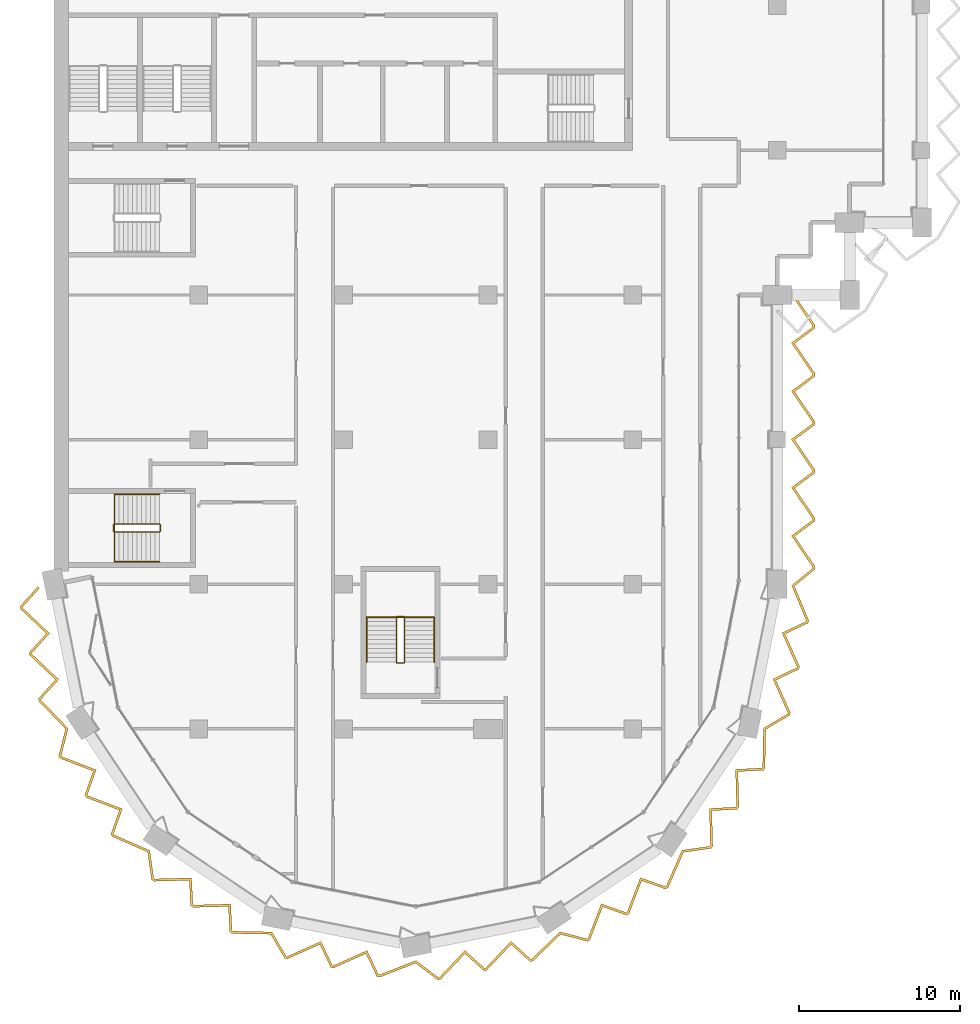
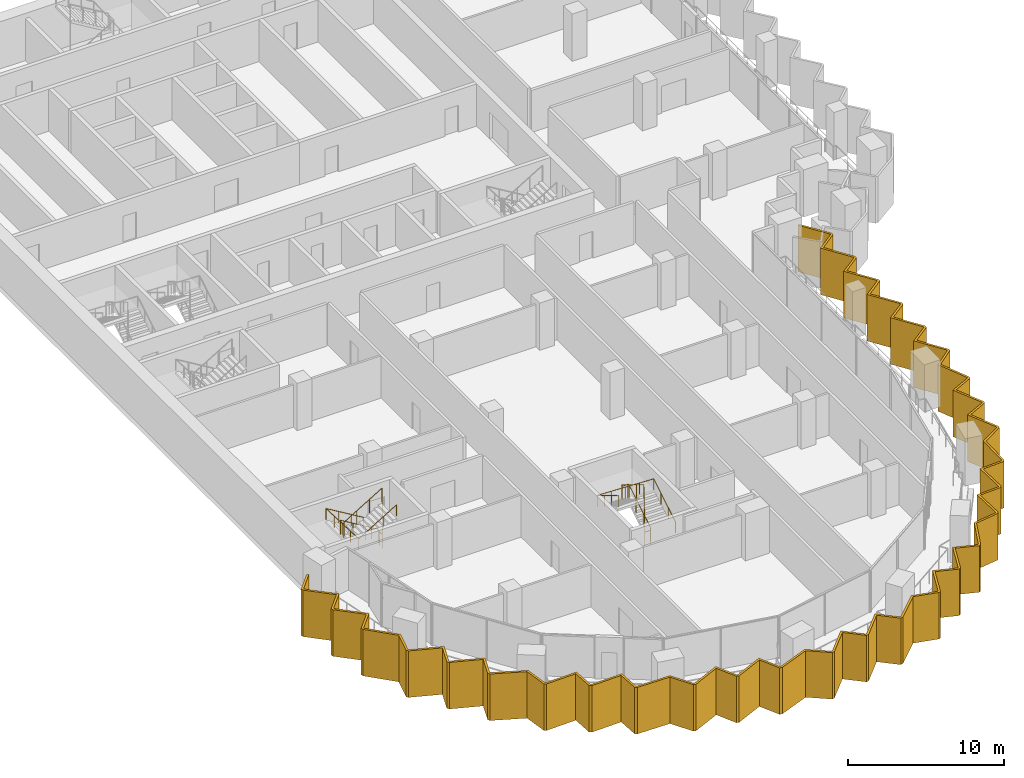
# One storey, part 16 of 19: 4 railings, 1 shading device.
"""IFC4 building model written with IfcOpenShell, lengths in metres."""

from ifc_helpers import new_model, si_unit, direction, frame, origin, origin_2d, place, context, subcontext, project, spatial, polyline, circle, outline, extrude, material, layer, layer_set, type_object, element, save


model = new_model("IFC4")

# Units and contexts
model_context = context("Model", 3, precision=1e-05, world=origin(), true_north=direction((0.0, 1.0)))
body_context = subcontext(model_context, "Body", "Model", "MODEL_VIEW")
ifc_project = project(units=[si_unit("LENGTHUNIT", "METRE"), si_unit("AREAUNIT", "SQUARE_METRE"), si_unit("VOLUMEUNIT", "CUBIC_METRE"), si_unit("PLANEANGLEUNIT", "RADIAN"), si_unit("MASSUNIT", "GRAM", prefix="KILO")], contexts=[model_context])

# Site, building, storey
site_placement = place(None, origin())
site = spatial("IfcSite", under=ifc_project, at=site_placement, CompositionType="ELEMENT")
building_placement = place(site_placement, origin())
building = spatial("IfcBuilding", under=site, at=building_placement, Name="Hunhe Ridgeline Campus", CompositionType="ELEMENT")
storey_placement = place(building_placement, frame((0.0, 0.0, 216.10009765625)))
storey = spatial("IfcBuildingStorey", under=building, at=storey_placement, Name="L55", CompositionType="ELEMENT", Elevation=216.10009765625)

# Shading device
ifc_material_1 = material(Name="Concrete C50", Category="concrete")
ifc_layer = layer(ifc_material_1, 0.14990234375)
ifc_layer_set = layer_set([ifc_layer], Name="Sawtooth concrete fin 150 Concrete C50")
shading_device_type = type_object("IfcShadingDeviceType", Name="Sawtooth concrete fin 150 Concrete C50", PredefinedType="USERDEFINED", material=ifc_layer_set)
shading_device_placement = place(storey_placement, frame((0.0, 0.0, -0.9501953125)))
element("IfcShadingDevice", 1, at=shading_device_placement, inside=storey, type_object=shading_device_type, Name="Concrete fin screen 1", ObjectType="FIN", PredefinedType="USERDEFINED", context=body_context, shape_type="SweptSolid", body=[
    extrude(outline(polyline([(-0.900634765625, 35.759521484375), (-1.011962890625, 35.860107421875), (-2.123291015625, 34.62890625), (-2.087890625, 34.450927734375), (-0.489990234375, 32.935546875), (-1.552490234375, 31.7587890625), (-1.51708984375, 31.580810546875), (0.080810546875, 30.0654296875), (-0.9814453125, 28.888671875), (-0.946533203125, 28.712646484375), (0.711181640625, 26.9873046875), (0.278076171875, 25.306884765625), (0.37646484375, 25.159423828125), (2.4326171875, 24.370849609375), (1.9013671875, 22.877197265625), (2.002197265625, 22.726318359375), (4.058349609375, 21.937744140625), (3.52734375, 20.444091796875), (3.626953125, 20.294677734375), (5.81884765625, 19.335205078125), (6.0615234375, 17.616943359375), (6.208984375, 17.518310546875), (8.410400390625, 17.57666015625), (8.4912109375, 15.993408203125), (8.642333984375, 15.892578125), (10.843505859375, 15.950927734375), (10.924560546875, 14.36767578125), (11.07373046875, 14.267822265625), (13.4658203125, 14.22021484375), (14.34765625, 12.7255859375), (14.521728515625, 12.69091796875), (16.533203125, 13.587158203125), (17.2138671875, 12.155517578125), (17.391845703125, 12.1201171875), (19.4033203125, 13.016357421875), (20.083984375, 11.58447265625), (20.260009765625, 11.549560546875), (22.48828125, 12.4208984375), (23.875, 11.37744140625), (24.049072265625, 11.412109375), (25.564453125, 13.010009765625), (26.7412109375, 11.947509765625), (26.919189453125, 11.98291015625), (28.4345703125, 13.580810546875), (29.611328125, 12.5185546875), (29.787353515625, 12.553466796875), (31.5126953125, 14.211181640625), (33.193115234375, 13.778076171875), (33.340576171875, 13.87646484375), (34.129150390625, 15.9326171875), (35.622802734375, 15.4013671875), (35.773681640625, 15.502197265625), (36.562255859375, 17.558349609375), (38.055908203125, 17.02734375), (38.205322265625, 17.126953125), (39.164794921875, 19.31884765625), (40.883056640625, 19.5615234375), (40.981689453125, 19.708984375), (40.92333984375, 21.910400390625), (42.506591796875, 21.9912109375), (42.607421875, 22.142333984375), (42.549072265625, 24.343505859375), (44.13232421875, 24.424560546875), (44.232177734375, 24.57373046875), (44.27978515625, 26.9658203125), (45.7744140625, 27.84765625), (45.80908203125, 28.021728515625), (44.912841796875, 30.033203125), (46.344482421875, 30.7138671875), (46.3798828125, 30.891845703125), (45.483642578125, 32.9033203125), (46.91552734375, 33.583984375), (46.95068359375, 33.760986328125), (46.065673828125, 35.88134765625), (47.35009765625, 36.9326171875), (47.35009765625, 37.111083984375), (46.077392578125, 38.982666015625), (47.35009765625, 39.930419921875), (47.35009765625, 40.111083984375), (46.077392578125, 41.982666015625), (47.35009765625, 42.930419921875), (47.35009765625, 43.111083984375), (46.077392578125, 44.982666015625), (47.35009765625, 45.930419921875), (47.35009765625, 46.111083984375), (46.077392578125, 47.982666015625), (47.35009765625, 48.930419921875), (47.35009765625, 49.111083984375), (46.077392578125, 50.982666015625), (47.35009765625, 51.930419921875), (47.35009765625, 52.111083984375), (46.037109375, 54.042236328125), (45.9130859375, 53.957763671875), (47.199951171875, 52.06494140625), (47.199951171875, 52.005859375), (45.87255859375, 51.017333984375), (47.199951171875, 49.06494140625), (47.199951171875, 49.005859375), (45.87255859375, 48.017333984375), (47.199951171875, 46.06494140625), (47.199951171875, 46.005859375), (45.87255859375, 45.017333984375), (47.199951171875, 43.06494140625), (47.199951171875, 43.005859375), (45.87255859375, 42.017333984375), (47.199951171875, 40.06494140625), (47.199951171875, 40.005859375), (45.87255859375, 39.017333984375), (47.199951171875, 37.06494140625), (47.199951171875, 37.003662109375), (45.88427734375, 35.926513671875), (46.794677734375, 33.745361328125), (46.782958984375, 33.68701171875), (45.287109375, 32.97607421875), (46.2236328125, 30.874267578125), (46.212158203125, 30.81689453125), (44.716064453125, 30.10595703125), (45.652587890625, 28.004150390625), (45.640380859375, 27.94287109375), (44.131591796875, 27.052490234375), (44.0830078125, 24.62060546875), (44.049560546875, 24.570556640625), (42.395263671875, 24.48583984375), (42.456298828125, 22.18603515625), (42.423583984375, 22.13720703125), (40.76953125, 22.052734375), (40.830322265625, 19.752685546875), (40.795654296875, 19.70068359375), (39.06103515625, 19.45556640625), (38.08544921875, 17.227294921875), (38.03515625, 17.19384765625), (36.474609375, 17.748779296875), (35.650634765625, 15.6005859375), (35.60205078125, 15.568115234375), (34.04150390625, 16.123046875), (33.217529296875, 13.974853515625), (33.16552734375, 13.93994140625), (31.468994140625, 14.37744140625), (29.715087890625, 12.692138671875), (29.656005859375, 12.68017578125), (28.426513671875, 13.790283203125), (26.84326171875, 12.120849609375), (26.785888671875, 12.109375), (25.556396484375, 13.21923828125), (23.972900390625, 11.5498046875), (23.91162109375, 11.53759765625), (22.51171875, 12.591064453125), (20.246337890625, 11.705078125), (20.18701171875, 11.717041015625), (19.47607421875, 13.212890625), (17.374267578125, 12.2763671875), (17.31689453125, 12.287841796875), (16.60595703125, 13.783935546875), (14.504150390625, 12.847412109375), (14.44287109375, 12.859619140625), (13.552490234375, 14.368408203125), (11.12060546875, 14.4169921875), (11.070556640625, 14.450439453125), (10.98583984375, 16.104736328125), (8.68603515625, 16.043701171875), (8.63720703125, 16.076416015625), (8.552734375, 17.73046875), (6.252685546875, 17.669677734375), (6.20068359375, 17.704345703125), (5.95556640625, 19.43896484375), (3.727294921875, 20.41455078125), (3.69384765625, 20.46484375), (4.248779296875, 22.025390625), (2.1005859375, 22.849365234375), (2.068115234375, 22.89794921875), (2.623046875, 24.45849609375), (0.474853515625, 25.282470703125), (0.43994140625, 25.33447265625), (0.87744140625, 27.031005859375), (-0.807861328125, 28.784912109375), (-0.81982421875, 28.843994140625), (0.290283203125, 30.073486328125), (-1.379150390625, 31.65673828125), (-1.390625, 31.714111328125), (-0.28076171875, 32.943603515625), (-1.9501953125, 34.527099609375), (-1.96142578125, 34.58447265625), (-0.900634765625, 35.759521484375)])), origin(), (0.0, 0.0, 1.0), 3.650146484375),
])

# Railings
ifc_material_2 = material(Name="Stainless steel balustrade", Category="steel")
railing_type_1 = type_object("IfcRailingType", Name="Stair guard 1100 stainless", PredefinedType="GUARDRAIL", material=ifc_material_2)
railing_1_placement = place(storey_placement, frame((21.800048828125, 31.14990234375, 0.16796875)))
element("IfcRailing", 2, at=railing_1_placement, inside=storey, type_object=railing_type_1, Name="L55 stair W3 guard", PredefinedType="GUARDRAIL", context=body_context, shape_type="SweptSolid", body=[
    extrude(circle(Radius=0.02392578125, at=origin_2d()), frame((0.0, 0.0, 1.076171875), z_axis=(0.0, 0.857242210791, 0.514913383045), x_axis=(-1.0, 0.0, 0.0)), (0.0, 0.0, 1.0), 3.266357421875),
    extrude(circle(Radius=0.02392578125, at=origin_2d()), frame((0.0, 2.800048828125, 2.7578125), z_axis=(-0.707106781187, 0.707106781187, 0.0), x_axis=(-0.707106781187, -0.707106781187, 0.0)), (0.0, 0.0, 1.0), 0.07080078125),
    extrude(circle(Radius=0.02392578125, at=origin_2d()), frame((-0.050048828125, 2.85009765625, 2.7578125), z_axis=(-1.0, 0.0, 0.0), x_axis=(0.0, -1.0, 0.0)), (0.0, 0.0, 1.0), 0.39990234375),
    extrude(circle(Radius=0.02392578125, at=origin_2d()), frame((-0.449951171875, 2.85009765625, 2.7578125), z_axis=(-0.274243871929, -0.274243871929, 0.92172696468), x_axis=(0.707106781187, -0.707106781187, 0.0)), (0.0, 0.0, 1.0), 0.1826171875),
    extrude(circle(Radius=0.02392578125, at=origin_2d()), frame((-0.5, 2.800048828125, 2.92626953125), z_axis=(0.0, -0.857242210791, 0.514913383045), x_axis=(1.0, 0.0, 0.0)), (0.0, 0.0, 1.0), 3.266357421875),
    extrude(circle(Radius=0.02392578125, at=origin_2d()), frame((-0.5, 0.0, 4.60791015625), z_axis=(0.013524426427, -0.013458453615, -0.999817963389), x_axis=(0.705375805398, 0.708833529934, 0.0)), (0.0, 0.0, 1.0), 3.70068359375),
    extrude(circle(Radius=0.02392578125, at=origin_2d()), frame((-0.449951171875, -0.0498046875, 0.908203125), z_axis=(1.0, 0.0, 0.0), x_axis=(0.0, 1.0, 0.0)), (0.0, 0.0, 1.0), 0.39990234375),
    extrude(circle(Radius=0.02099609375, at=origin_2d()), origin(), (0.0, 0.0, 1.0), 1.052001953125),
    extrude(circle(Radius=0.02099609375, at=origin_2d()), frame((0.0, 0.933349609375, 0.560546875)), (0.0, 0.0, 1.0), 1.052001953125),
    extrude(circle(Radius=0.02099609375, at=origin_2d()), frame((0.0, 1.86669921875, 1.121337890625)), (0.0, 0.0, 1.0), 1.052001953125),
    extrude(circle(Radius=0.02099609375, at=origin_2d()), frame((0.0, 2.800048828125, 1.681884765625)), (0.0, 0.0, 1.0), 1.052001953125),
    extrude(circle(Radius=0.02099609375, at=origin_2d()), frame((-0.050048828125, 2.85009765625, 1.681884765625)), (0.0, 0.0, 1.0), 1.052001953125),
    extrude(circle(Radius=0.02099609375, at=origin_2d()), frame((-0.449951171875, 2.85009765625, 1.681884765625)), (0.0, 0.0, 1.0), 1.052001953125),
    extrude(circle(Radius=0.02099609375, at=origin_2d()), frame((-0.5, 2.800048828125, 1.85009765625)), (0.0, 0.0, 1.0), 1.052001953125),
    extrude(circle(Radius=0.02099609375, at=origin_2d()), frame((-0.5, 1.86669921875, 2.41064453125)), (0.0, 0.0, 1.0), 1.052001953125),
    extrude(circle(Radius=0.02099609375, at=origin_2d()), frame((-0.5, 0.933349609375, 2.971435546875)), (0.0, 0.0, 1.0), 1.052001953125),
    extrude(circle(Radius=0.02099609375, at=origin_2d()), frame((-0.5, 0.0, 3.531982421875)), (0.0, 0.0, 1.0), 1.052001953125),
    extrude(circle(Radius=0.02099609375, at=origin_2d()), frame((-0.487548828125, -0.012451171875, 2.60693359375)), (0.0, 0.0, 1.0), 1.052001953125),
    extrude(circle(Radius=0.02099609375, at=origin_2d()), frame((-0.47509765625, -0.02490234375, 1.68212890625)), (0.0, 0.0, 1.0), 1.052001953125),
    extrude(circle(Radius=0.02099609375, at=origin_2d()), frame((-0.46240234375, -0.037353515625, 0.757080078125)), (0.0, 0.0, 1.0), 1.052001953125),
    extrude(circle(Radius=0.02099609375, at=origin_2d()), frame((-0.449951171875, -0.0498046875, -0.16796875)), (0.0, 0.0, 1.0), 1.052001953125),
    extrude(circle(Radius=0.02099609375, at=origin_2d()), frame((-0.050048828125, -0.0498046875, -0.16796875)), (0.0, 0.0, 1.0), 1.052001953125),
])
railing_2_placement = place(storey_placement, frame((6.550048828125, 39.75, 0.16796875)))
element("IfcRailing", 3, at=railing_2_placement, inside=storey, type_object=railing_type_1, Name="L55 stair W1 guard", PredefinedType="GUARDRAIL", context=body_context, shape_type="SweptSolid", body=[
    extrude(circle(Radius=0.02392578125, at=origin_2d()), frame((0.0, 0.0, 1.076171875), z_axis=(-0.857242210791, 0.0, 0.514913383045), x_axis=(0.0, -1.0, 0.0)), (0.0, 0.0, 1.0), 3.266357421875),
    extrude(circle(Radius=0.02392578125, at=origin_2d()), frame((-2.800048828125, 0.0, 2.7578125), z_axis=(-0.707106781187, -0.707106781187, 0.0), x_axis=(0.707106781187, -0.707106781187, 0.0)), (0.0, 0.0, 1.0), 0.07080078125),
    extrude(circle(Radius=0.02392578125, at=origin_2d()), frame((-2.85009765625, -0.050048828125, 2.7578125), z_axis=(0.0, -1.0, 0.0), x_axis=(1.0, 0.0, 0.0)), (0.0, 0.0, 1.0), 0.39990234375),
    extrude(circle(Radius=0.02392578125, at=origin_2d()), frame((-2.85009765625, -0.449951171875, 2.7578125), z_axis=(0.274243871929, -0.274243871929, 0.92172696468), x_axis=(0.707106781187, 0.707106781187, 0.0)), (0.0, 0.0, 1.0), 0.1826171875),
    extrude(circle(Radius=0.02392578125, at=origin_2d()), frame((-2.800048828125, -0.5, 2.92626953125), z_axis=(0.857242210791, 0.0, 0.514913383045), x_axis=(0.0, 1.0, 0.0)), (0.0, 0.0, 1.0), 3.266357421875),
    extrude(circle(Radius=0.02392578125, at=origin_2d()), frame((0.0, -0.5, 4.60791015625), z_axis=(0.013524414389, 0.013524414389, -0.999817073484), x_axis=(-0.707106781187, 0.707106781187, 0.0)), (0.0, 0.0, 1.0), 3.70068359375),
    extrude(circle(Radius=0.02392578125, at=origin_2d()), frame((0.050048828125, -0.449951171875, 0.908203125), z_axis=(0.0, 1.0, 0.0), x_axis=(-1.0, 0.0, 0.0)), (0.0, 0.0, 1.0), 0.39990234375),
    extrude(circle(Radius=0.02099609375, at=origin_2d()), origin(), (0.0, 0.0, 1.0), 1.052001953125),
    extrude(circle(Radius=0.02099609375, at=origin_2d()), frame((-0.933349609375, 0.0, 0.560546875)), (0.0, 0.0, 1.0), 1.052001953125),
    extrude(circle(Radius=0.02099609375, at=origin_2d()), frame((-1.86669921875, 0.0, 1.121337890625)), (0.0, 0.0, 1.0), 1.052001953125),
    extrude(circle(Radius=0.02099609375, at=origin_2d()), frame((-2.800048828125, 0.0, 1.681884765625)), (0.0, 0.0, 1.0), 1.052001953125),
    extrude(circle(Radius=0.02099609375, at=origin_2d()), frame((-2.85009765625, -0.050048828125, 1.681884765625)), (0.0, 0.0, 1.0), 1.052001953125),
    extrude(circle(Radius=0.02099609375, at=origin_2d()), frame((-2.85009765625, -0.449951171875, 1.681884765625)), (0.0, 0.0, 1.0), 1.052001953125),
    extrude(circle(Radius=0.02099609375, at=origin_2d()), frame((-2.800048828125, -0.5, 1.85009765625)), (0.0, 0.0, 1.0), 1.052001953125),
    extrude(circle(Radius=0.02099609375, at=origin_2d()), frame((-1.86669921875, -0.5, 2.41064453125)), (0.0, 0.0, 1.0), 1.052001953125),
    extrude(circle(Radius=0.02099609375, at=origin_2d()), frame((-0.933349609375, -0.5, 2.971435546875)), (0.0, 0.0, 1.0), 1.052001953125),
    extrude(circle(Radius=0.02099609375, at=origin_2d()), frame((0.0, -0.5, 3.531982421875)), (0.0, 0.0, 1.0), 1.052001953125),
    extrude(circle(Radius=0.02099609375, at=origin_2d()), frame((0.012451171875, -0.487548828125, 2.60693359375)), (0.0, 0.0, 1.0), 1.052001953125),
    extrude(circle(Radius=0.02099609375, at=origin_2d()), frame((0.02490234375, -0.47509765625, 1.68212890625)), (0.0, 0.0, 1.0), 1.052001953125),
    extrude(circle(Radius=0.02099609375, at=origin_2d()), frame((0.03759765625, -0.46240234375, 0.757080078125)), (0.0, 0.0, 1.0), 1.052001953125),
    extrude(circle(Radius=0.02099609375, at=origin_2d()), frame((0.050048828125, -0.449951171875, -0.16796875)), (0.0, 0.0, 1.0), 1.052001953125),
    extrude(circle(Radius=0.02099609375, at=origin_2d()), frame((0.050048828125, -0.050048828125, -0.16796875)), (0.0, 0.0, 1.0), 1.052001953125),
])
ifc_material_3 = material(Name="Stainless steel handrail", Category="steel")
railing_type_2 = type_object("IfcRailingType", Name="Stair handrail 900 stainless", PredefinedType="HANDRAIL", material=ifc_material_3)
railing_3_placement = place(storey_placement, frame((23.64990234375, 31.14990234375, 0.16796875)))
element("IfcRailing", 4, at=railing_3_placement, inside=storey, type_object=railing_type_2, Name="L55 stair W3 handrail", PredefinedType="HANDRAIL", context=body_context, shape_type="SweptSolid", body=[
    extrude(circle(Radius=0.02392578125, at=origin_2d()), frame((0.0, 0.0, 0.8759765625), z_axis=(0.0, 0.857242210791, 0.514913383045), x_axis=(-1.0, 0.0, 0.0)), (0.0, 0.0, 1.0), 3.266357421875),
    extrude(circle(Radius=0.02392578125, at=origin_2d()), frame((0.0, 2.800048828125, 2.5576171875), z_axis=(-0.999198916169, 0.0, 0.040019069537), x_axis=(0.0, -1.0, 0.0)), (0.0, 0.0, 1.0), 4.203369140625),
    extrude(circle(Radius=0.02392578125, at=origin_2d()), frame((-4.199951171875, 2.800048828125, 2.72607421875), z_axis=(0.0, -0.857242210791, 0.514913383045), x_axis=(1.0, 0.0, 0.0)), (0.0, 0.0, 1.0), 3.266357421875),
    extrude(circle(Radius=0.02099609375, at=origin_2d()), origin(), (0.0, 0.0, 1.0), 0.851806640625),
    extrude(circle(Radius=0.02099609375, at=origin_2d()), frame((0.0, 0.933349609375, 0.560546875)), (0.0, 0.0, 1.0), 0.851806640625),
    extrude(circle(Radius=0.02099609375, at=origin_2d()), frame((0.0, 1.86669921875, 1.121337890625)), (0.0, 0.0, 1.0), 0.851806640625),
    extrude(circle(Radius=0.02099609375, at=origin_2d()), frame((0.0, 2.800048828125, 1.681884765625)), (0.0, 0.0, 1.0), 0.851806640625),
    extrude(circle(Radius=0.02099609375, at=origin_2d()), frame((-1.050048828125, 2.800048828125, 1.723876953125)), (0.0, 0.0, 1.0), 0.851806640625),
    extrude(circle(Radius=0.02099609375, at=origin_2d()), frame((-2.10009765625, 2.800048828125, 1.76611328125)), (0.0, 0.0, 1.0), 0.851806640625),
    extrude(circle(Radius=0.02099609375, at=origin_2d()), frame((-3.14990234375, 2.800048828125, 1.80810546875)), (0.0, 0.0, 1.0), 0.851806640625),
    extrude(circle(Radius=0.02099609375, at=origin_2d()), frame((-4.199951171875, 2.800048828125, 1.85009765625)), (0.0, 0.0, 1.0), 0.851806640625),
    extrude(circle(Radius=0.02099609375, at=origin_2d()), frame((-4.199951171875, 1.86669921875, 2.41064453125)), (0.0, 0.0, 1.0), 0.851806640625),
    extrude(circle(Radius=0.02099609375, at=origin_2d()), frame((-4.199951171875, 0.933349609375, 2.971435546875)), (0.0, 0.0, 1.0), 0.851806640625),
    extrude(circle(Radius=0.02099609375, at=origin_2d()), frame((-4.199951171875, 0.0, 3.531982421875)), (0.0, 0.0, 1.0), 0.851806640625),
])
railing_4_placement = place(storey_placement, frame((6.550048828125, 41.60009765625, 0.16796875)))
element("IfcRailing", 5, at=railing_4_placement, inside=storey, type_object=railing_type_2, Name="L55 stair W1 handrail", PredefinedType="HANDRAIL", context=body_context, shape_type="SweptSolid", body=[
    extrude(circle(Radius=0.02392578125, at=origin_2d()), frame((0.0, 0.0, 0.8759765625), z_axis=(-0.857242210791, 0.0, 0.514913383045), x_axis=(0.0, -1.0, 0.0)), (0.0, 0.0, 1.0), 3.266357421875),
    extrude(circle(Radius=0.02392578125, at=origin_2d()), frame((-2.800048828125, 0.0, 2.5576171875), z_axis=(0.0, -0.999199009182, 0.040016747113), x_axis=(1.0, 0.0, 0.0)), (0.0, 0.0, 1.0), 4.20361328125),
    extrude(circle(Radius=0.02392578125, at=origin_2d()), frame((-2.800048828125, -4.2001953125, 2.72607421875), z_axis=(0.857242210791, 0.0, 0.514913383045), x_axis=(0.0, 1.0, 0.0)), (0.0, 0.0, 1.0), 3.266357421875),
    extrude(circle(Radius=0.02099609375, at=origin_2d()), origin(), (0.0, 0.0, 1.0), 0.851806640625),
    extrude(circle(Radius=0.02099609375, at=origin_2d()), frame((-0.933349609375, 0.0, 0.560546875)), (0.0, 0.0, 1.0), 0.851806640625),
    extrude(circle(Radius=0.02099609375, at=origin_2d()), frame((-1.86669921875, 0.0, 1.121337890625)), (0.0, 0.0, 1.0), 0.851806640625),
    extrude(circle(Radius=0.02099609375, at=origin_2d()), frame((-2.800048828125, 0.0, 1.681884765625)), (0.0, 0.0, 1.0), 0.851806640625),
    extrude(circle(Radius=0.02099609375, at=origin_2d()), frame((-2.800048828125, -1.050048828125, 1.723876953125)), (0.0, 0.0, 1.0), 0.851806640625),
    extrude(circle(Radius=0.02099609375, at=origin_2d()), frame((-2.800048828125, -2.10009765625, 1.76611328125)), (0.0, 0.0, 1.0), 0.851806640625),
    extrude(circle(Radius=0.02099609375, at=origin_2d()), frame((-2.800048828125, -3.150146484375, 1.80810546875)), (0.0, 0.0, 1.0), 0.851806640625),
    extrude(circle(Radius=0.02099609375, at=origin_2d()), frame((-2.800048828125, -4.2001953125, 1.85009765625)), (0.0, 0.0, 1.0), 0.851806640625),
    extrude(circle(Radius=0.02099609375, at=origin_2d()), frame((-1.86669921875, -4.2001953125, 2.41064453125)), (0.0, 0.0, 1.0), 0.851806640625),
    extrude(circle(Radius=0.02099609375, at=origin_2d()), frame((-0.933349609375, -4.2001953125, 2.971435546875)), (0.0, 0.0, 1.0), 0.851806640625),
    extrude(circle(Radius=0.02099609375, at=origin_2d()), frame((0.0, -4.2001953125, 3.531982421875)), (0.0, 0.0, 1.0), 0.851806640625),
])

save(model, "model.ifc")
